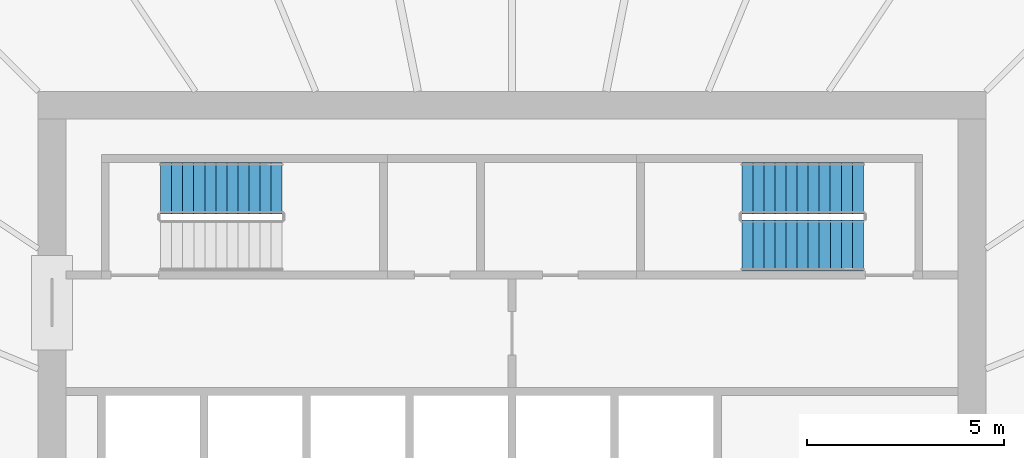
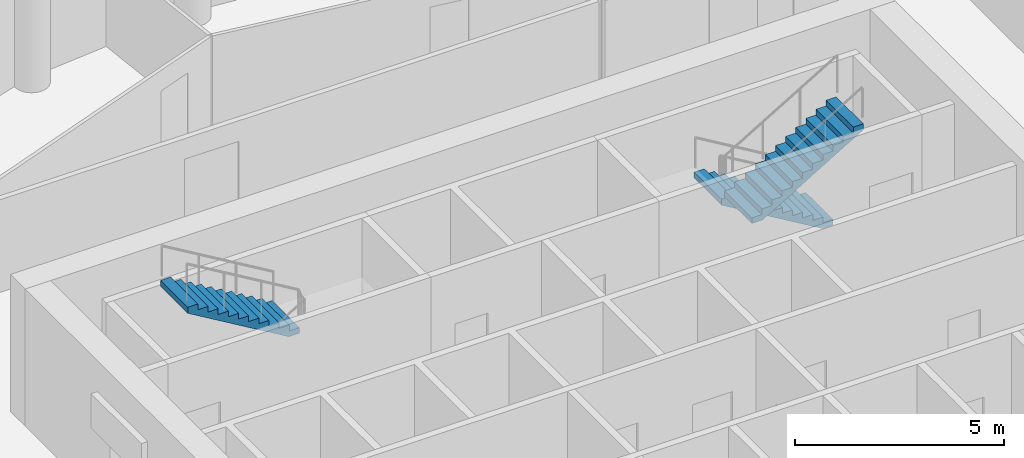
# One storey, part 7 of 8: 3 stair flights, 2 elements without a shape of their own.
"""IFC4 building model written with IfcOpenShell, lengths in metres."""

from ifc_helpers import new_model, si_unit, direction, frame, origin, place, context, subcontext, project, spatial, polyline, outline, extrude, material, type_object, element, aggregate, save


model = new_model("IFC4")

# Units and contexts
model_context = context("Model", 3, precision=1e-05, world=origin(), true_north=direction((0.0, 1.0)))
body_context = subcontext(model_context, "Body", "Model", "MODEL_VIEW")
ifc_project = project(units=[si_unit("LENGTHUNIT", "METRE"), si_unit("AREAUNIT", "SQUARE_METRE"), si_unit("VOLUMEUNIT", "CUBIC_METRE"), si_unit("PLANEANGLEUNIT", "RADIAN"), si_unit("MASSUNIT", "GRAM", prefix="KILO")], contexts=[model_context])

# Site, building, storey
site_placement = place(None, origin())
site = spatial("IfcSite", under=ifc_project, at=site_placement, CompositionType="ELEMENT")
building_placement = place(site_placement, origin())
building = spatial("IfcBuilding", under=site, at=building_placement, Name="Corvane Civic Tower", CompositionType="ELEMENT")
storey_placement = place(building_placement, frame((0.0, 0.0, 299.0)))
storey = spatial("IfcBuildingStorey", under=building, at=storey_placement, Name="L71", CompositionType="ELEMENT", Elevation=299.0)

# Stair, stair flights
ifc_material_1 = material(Name="Concrete C40/50", Category="concrete")
stair_type = type_object("IfcStairType", Name="ST-STAIR-HALFTURN", PredefinedType="HALF_TURN_STAIR", material=ifc_material_1)
stair_1_placement = place(storey_placement, origin())
stair_1 = element("IfcStair", 1, at=stair_1_placement, inside=storey, type_object=stair_type, Name="L71 Exit stair ST1", PredefinedType="HALF_TURN_STAIR")
ifc_material_2 = material(Name="Concrete C40/50", Category="concrete")
stair_flight_type = type_object("IfcStairFlightType", Name="ST-FLIGHT-RC", PredefinedType="STRAIGHT", material=ifc_material_2)
stair_flight_1_placement = place(storey_placement, frame((8.89990234375, 9.550048828125, 0.0), z_axis=(0.0, 0.0, 1.0), x_axis=(-1.0, 0.0, 0.0)))
stair_flight_1 = element("IfcStairFlight", 2, at=stair_flight_1_placement, type_object=stair_flight_type, Name="ST1 flight 1", NumberOfRisers=12, NumberOfTreads=11, PredefinedType="STRAIGHT", RiserHeight=0.166666667, TreadLength=0.28, context=body_context, shape_type="SweptSolid", body=[
    extrude(outline(polyline([(0.0, 0.0), (0.0, 0.166748046875), (0.280029296875, 0.166748046875), (0.280029296875, 0.333251953125), (0.56005859375, 0.333251953125), (0.56005859375, 0.5), (0.840087890625, 0.5), (0.840087890625, 0.666748046875), (1.1201171875, 0.666748046875), (1.1201171875, 0.833251953125), (1.39990234375, 0.833251953125), (1.39990234375, 1.0), (1.679931640625, 1.0), (1.679931640625, 1.166748046875), (1.9599609375, 1.166748046875), (1.9599609375, 1.333251953125), (2.239990234375, 1.333251953125), (2.239990234375, 1.5), (2.52001953125, 1.5), (2.52001953125, 1.666748046875), (2.800048828125, 1.666748046875), (2.800048828125, 1.833251953125), (3.080078125, 1.833251953125), (3.080078125, 2.0), (3.080078125, 1.658935546875), (0.29296875, 0.0), (0.0, 0.0)])), frame((0.0, 0.64990234375, 0.0), z_axis=(0.0, -1.0, 0.0), x_axis=(1.0, 0.0, 0.0)), (0.0, 0.0, 1.0), 1.300048828125),
])
stair_flight_2_placement = place(storey_placement, frame((5.820068359375, 8.10009765625, 2.0), z_axis=(0.0, 0.0, 1.0), x_axis=(1.0, 0.0, 0.0)))
stair_flight_2 = element("IfcStairFlight", 3, at=stair_flight_2_placement, type_object=stair_flight_type, Name="ST1 flight 2", NumberOfRisers=12, NumberOfTreads=11, PredefinedType="STRAIGHT", RiserHeight=0.166666667, TreadLength=0.28, context=body_context, shape_type="SweptSolid", body=[
    extrude(outline(polyline([(0.0, 0.0), (0.0, 0.166748046875), (0.280029296875, 0.166748046875), (0.280029296875, 0.333251953125), (0.56005859375, 0.333251953125), (0.56005859375, 0.5), (0.840087890625, 0.5), (0.840087890625, 0.666748046875), (1.1201171875, 0.666748046875), (1.1201171875, 0.833251953125), (1.39990234375, 0.833251953125), (1.39990234375, 1.0), (1.679931640625, 1.0), (1.679931640625, 1.166748046875), (1.9599609375, 1.166748046875), (1.9599609375, 1.333251953125), (2.239990234375, 1.333251953125), (2.239990234375, 1.5), (2.52001953125, 1.5), (2.52001953125, 1.666748046875), (2.800048828125, 1.666748046875), (2.800048828125, 1.833251953125), (3.080078125, 1.833251953125), (3.080078125, 2.0), (3.080078125, 1.658935546875), (0.29296875, 0.0), (0.0, 0.0)])), frame((0.0, 0.64990234375, 0.0), z_axis=(0.0, -1.0, 0.0), x_axis=(1.0, 0.0, 0.0)), (0.0, 0.0, 1.0), 1.300048828125),
])
aggregate(stair_1, [stair_flight_1, stair_flight_2])

# Stair, stair flight
stair_2_placement = place(storey_placement, origin())
stair_2 = element("IfcStair", 4, at=stair_2_placement, inside=storey, type_object=stair_type, Name="L71 Exit stair ST4", PredefinedType="HALF_TURN_STAIR")
stair_flight_3_placement = place(storey_placement, frame((-5.820068359375, 9.550048828125, 2.0), z_axis=(0.0, 0.0, 1.0), x_axis=(-1.0, 0.0, 0.0)))
stair_flight_3 = element("IfcStairFlight", 5, at=stair_flight_3_placement, type_object=stair_flight_type, Name="ST4 flight 2", NumberOfRisers=12, NumberOfTreads=11, PredefinedType="STRAIGHT", RiserHeight=0.166666667, TreadLength=0.28, context=body_context, shape_type="SweptSolid", body=[
    extrude(outline(polyline([(0.0, 0.0), (0.0, 0.166748046875), (0.280029296875, 0.166748046875), (0.280029296875, 0.333251953125), (0.56005859375, 0.333251953125), (0.56005859375, 0.5), (0.840087890625, 0.5), (0.840087890625, 0.666748046875), (1.1201171875, 0.666748046875), (1.1201171875, 0.833251953125), (1.39990234375, 0.833251953125), (1.39990234375, 1.0), (1.679931640625, 1.0), (1.679931640625, 1.166748046875), (1.9599609375, 1.166748046875), (1.9599609375, 1.333251953125), (2.239990234375, 1.333251953125), (2.239990234375, 1.5), (2.52001953125, 1.5), (2.52001953125, 1.666748046875), (2.800048828125, 1.666748046875), (2.800048828125, 1.833251953125), (3.080078125, 1.833251953125), (3.080078125, 2.0), (3.080078125, 1.658935546875), (0.29296875, 0.0), (0.0, 0.0)])), frame((0.0, 0.64990234375, 0.0), z_axis=(0.0, -1.0, 0.0), x_axis=(1.0, 0.0, 0.0)), (0.0, 0.0, 1.0), 1.300048828125),
])
aggregate(stair_2, [stair_flight_3])

save(model, "model.ifc")
